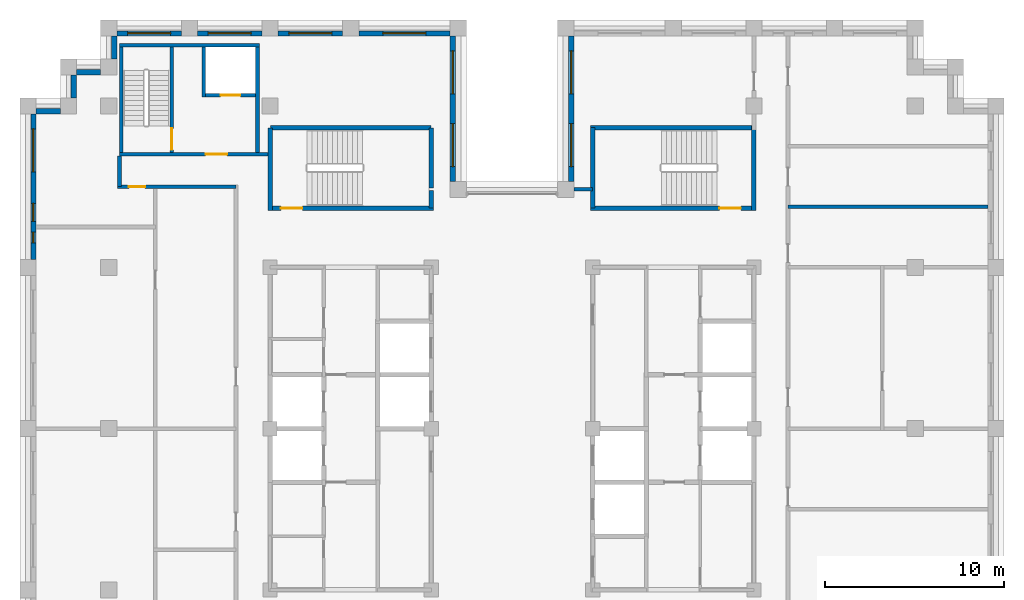
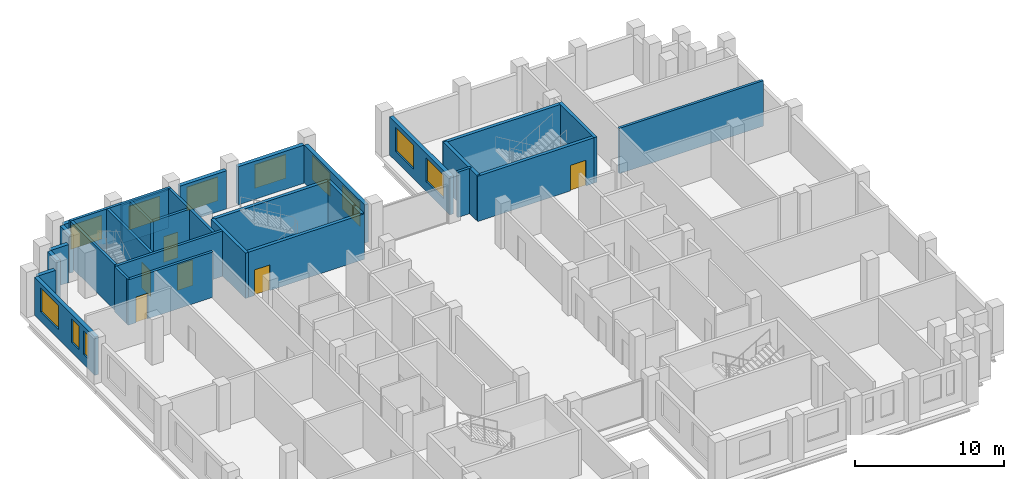
# One storey, part 10 of 13: 31 walls, 11 windows, 6 doors, 17 openings.
"""IFC4 building model written with IfcOpenShell, lengths in metres."""

from ifc_helpers import new_model, si_unit, direction, frame, frame_2d, origin, place, context, subcontext, project, spatial, rectangle, extrude, material, layer, layer_set, type_object, element, fill, save


model = new_model("IFC4")

# Units and contexts
model_context = context("Model", 3, precision=1e-05, world=origin(), true_north=direction((0.0, 1.0)))
body_context = subcontext(model_context, "Body", "Model", "MODEL_VIEW")
ifc_project = project(units=[si_unit("LENGTHUNIT", "METRE"), si_unit("AREAUNIT", "SQUARE_METRE"), si_unit("VOLUMEUNIT", "CUBIC_METRE"), si_unit("PLANEANGLEUNIT", "RADIAN"), si_unit("MASSUNIT", "GRAM", prefix="KILO")], contexts=[model_context])

# Site, building, storey
site_placement = place(None, origin())
site = spatial("IfcSite", under=ifc_project, at=site_placement, CompositionType="ELEMENT")
building_placement = place(site_placement, origin())
building = spatial("IfcBuilding", under=site, at=building_placement, Name="Corbelhall Arena Tower", CompositionType="ELEMENT")
storey_placement = place(building_placement, frame((0.0, 0.0, 258.0)))
storey = spatial("IfcBuildingStorey", under=building, at=storey_placement, Name="L55", CompositionType="ELEMENT", Elevation=258.0)

# Walls
ifc_material_1 = material(Name="Precast concrete C40/50 with granite facing", Category="masonry")
ifc_layer_1 = layer(ifc_material_1, 0.300048828125)
ifc_layer_set_1 = layer_set([ifc_layer_1], Name="EV-IW1 Infill panel 300")
wall_type_1 = type_object("IfcWallType", Name="EV-IW1 Infill panel 300", PredefinedType="SOLIDWALL", material=ifc_layer_set_1)
wall_1_placement = place(storey_placement, frame((-24.449951171875, 19.72509765625, 0.0), z_axis=(0.0, 0.0, 1.0), x_axis=(0.0, -1.0, 0.0)))
element("IfcWall", 1, at=wall_1_placement, inside=storey, type_object=wall_type_1, Name="Infill panel IW1", PredefinedType="SOLIDWALL", context=body_context, shape_type="SweptSolid", body=[
    extrude(rectangle(XDim=1.275146484375, YDim=0.300048828125, at=frame_2d((0.6376953125, 0.0))), origin(), (0.0, 0.0, 1.0), 3.1201171875),
])
wall_2_placement = place(storey_placement, frame((-25.199951171875, 17.699951171875, 0.0), z_axis=(0.0, 0.0, 1.0), x_axis=(-1.0, 0.0, 0.0)))
element("IfcWall", 2, at=wall_2_placement, inside=storey, type_object=wall_type_1, Name="Infill panel IW1", PredefinedType="SOLIDWALL", context=body_context, shape_type="SweptSolid", body=[
    extrude(rectangle(XDim=1.35009765625, YDim=0.300048828125, at=frame_2d((0.675048828125, 0.0))), origin(), (0.0, 0.0, 1.0), 3.1201171875),
])

# Wall, openings, windows
wall_3_placement = place(storey_placement, frame((-26.699951171875, 17.550048828125, 0.0), z_axis=(0.0, 0.0, 1.0), x_axis=(0.0, -1.0, 0.0)))
wall_3 = element("IfcWall", 3, at=wall_3_placement, inside=storey, type_object=wall_type_1, Name="Infill panel IW1", PredefinedType="SOLIDWALL", context=body_context, shape_type="SweptSolid", body=[
    extrude(rectangle(XDim=8.10009765625, YDim=0.300048828125, at=frame_2d((4.050048828125, 0.0))), origin(), (0.0, 0.0, 1.0), 3.1201171875),
])
opening_1_placement = place(wall_3_placement, frame((0.824951171875, 0.0, 0.800048828125)))
opening_1 = element("IfcOpeningElement", 4, at=opening_1_placement, cuts=wall_3, Name="Opening WN1", PredefinedType="OPENING", context=body_context, shape_type="SweptSolid", body=[
    extrude(rectangle(XDim=2.39990234375, YDim=1.949951171875, at=frame_2d((1.199951171875, 0.97509765625))), frame((0.0, 0.14990234375, 0.0), z_axis=(0.0, -1.0, 0.0), x_axis=(1.0, 0.0, 0.0)), (0.0, 0.0, 1.0), 0.300048828125),
])
opening_2_placement = place(wall_3_placement, frame((4.987548828125, 0.0, 0.800048828125)))
opening_2 = element("IfcOpeningElement", 5, at=opening_2_placement, cuts=wall_3, Name="Opening WN6", PredefinedType="OPENING", context=body_context, shape_type="SweptSolid", body=[
    extrude(rectangle(XDim=1.0, YDim=1.949951171875, at=frame_2d((0.5, 0.97509765625))), frame((0.0, 0.14990234375, 0.0), z_axis=(0.0, -1.0, 0.0), x_axis=(1.0, 0.0, 0.0)), (0.0, 0.0, 1.0), 0.300048828125),
])
opening_3_placement = place(wall_3_placement, frame((6.58740234375, 0.0, 0.800048828125)))
opening_3 = element("IfcOpeningElement", 6, at=opening_3_placement, cuts=wall_3, Name="Opening WN5", PredefinedType="OPENING", context=body_context, shape_type="SweptSolid", body=[
    extrude(rectangle(XDim=0.60009765625, YDim=1.949951171875, at=frame_2d((0.300048828125, 0.97509765625))), frame((0.0, 0.14990234375, 0.0), z_axis=(0.0, -1.0, 0.0), x_axis=(1.0, 0.0, 0.0)), (0.0, 0.0, 1.0), 0.300048828125),
])
ifc_material_2 = material(Name="Aluminium black anodised", Category="aluminium")
window_type_1 = type_object("IfcWindowType", Name="EV-WN1 Office window", PartitioningType="SINGLE_PANEL", PredefinedType="WINDOW", material=ifc_material_2)
window_1_placement = place(opening_1_placement, origin())
window_1 = element("IfcWindow", 7, at=window_1_placement, inside=storey, type_object=window_type_1, Name="Window WN1", OverallHeight=1.949951171875, OverallWidth=2.39990234375, PartitioningType="SINGLE_PANEL", PredefinedType="WINDOW", context=body_context, shape_type="SweptSolid", body=[
    extrude(rectangle(XDim=2.39990234375, YDim=1.949951171875, at=frame_2d((1.199951171875, 0.97509765625))), frame((0.0, 0.030029296875, 0.0), z_axis=(0.0, -1.0, 0.0), x_axis=(1.0, 0.0, 0.0)), (0.0, 0.0, 1.0), 0.06005859375),
])
fill(opening_1, window_1)
window_type_2 = type_object("IfcWindowType", Name="EV-WN5 Office window 600", PartitioningType="SINGLE_PANEL", PredefinedType="WINDOW", material=ifc_material_2)
window_2_placement = place(opening_3_placement, origin())
window_2 = element("IfcWindow", 8, at=window_2_placement, inside=storey, type_object=window_type_2, Name="Window WN5", OverallHeight=1.949951171875, OverallWidth=0.60009765625, PartitioningType="SINGLE_PANEL", PredefinedType="WINDOW", context=body_context, shape_type="SweptSolid", body=[
    extrude(rectangle(XDim=0.60009765625, YDim=1.949951171875, at=frame_2d((0.300048828125, 0.97509765625))), frame((0.0, 0.030029296875, 0.0), z_axis=(0.0, -1.0, 0.0), x_axis=(1.0, 0.0, 0.0)), (0.0, 0.0, 1.0), 0.06005859375),
])
fill(opening_3, window_2)
window_type_3 = type_object("IfcWindowType", Name="EV-WN6 Office window 1000", PartitioningType="SINGLE_PANEL", PredefinedType="WINDOW", material=ifc_material_2)
window_3_placement = place(opening_2_placement, origin())
window_3 = element("IfcWindow", 9, at=window_3_placement, inside=storey, type_object=window_type_3, Name="Window WN6", OverallHeight=1.949951171875, OverallWidth=1.0, PartitioningType="SINGLE_PANEL", PredefinedType="WINDOW", context=body_context, shape_type="SweptSolid", body=[
    extrude(rectangle(XDim=1.0, YDim=1.949951171875, at=frame_2d((0.5, 0.97509765625))), frame((0.0, 0.030029296875, 0.0), z_axis=(0.0, -1.0, 0.0), x_axis=(1.0, 0.0, 0.0)), (0.0, 0.0, 1.0), 0.06005859375),
])
fill(opening_2, window_3)

wall_4_placement = place(storey_placement, frame((3.300048828125, 21.89990234375, 0.0), z_axis=(0.0, 0.0, 1.0), x_axis=(0.0, -1.0, 0.0)))
wall_4 = element("IfcWall", 10, at=wall_4_placement, inside=storey, type_object=wall_type_1, Name="Infill panel IW1", PredefinedType="SOLIDWALL", context=body_context, shape_type="SweptSolid", body=[
    extrude(rectangle(XDim=8.099853515625, YDim=0.300048828125, at=frame_2d((4.0498046875, 0.0))), origin(), (0.0, 0.0, 1.0), 3.1201171875),
])
opening_4_placement = place(wall_4_placement, frame((0.824951171875, 0.0, 0.800048828125)))
opening_4 = element("IfcOpeningElement", 11, at=opening_4_placement, cuts=wall_4, Name="Opening WN1", PredefinedType="OPENING", context=body_context, shape_type="SweptSolid", body=[
    extrude(rectangle(XDim=2.39990234375, YDim=1.949951171875, at=frame_2d((1.199951171875, 0.97509765625))), frame((0.0, 0.14990234375, 0.0), z_axis=(0.0, -1.0, 0.0), x_axis=(1.0, 0.0, 0.0)), (0.0, 0.0, 1.0), 0.300048828125),
])
opening_5_placement = place(wall_4_placement, frame((4.875, 0.0, 0.800048828125)))
opening_5 = element("IfcOpeningElement", 12, at=opening_5_placement, cuts=wall_4, Name="Opening WN1", PredefinedType="OPENING", context=body_context, shape_type="SweptSolid", body=[
    extrude(rectangle(XDim=2.39990234375, YDim=1.949951171875, at=frame_2d((1.199951171875, 0.97509765625))), frame((0.0, 0.14990234375, 0.0), z_axis=(0.0, -1.0, 0.0), x_axis=(1.0, 0.0, 0.0)), (0.0, 0.0, 1.0), 0.300048828125),
])
window_4_placement = place(opening_4_placement, origin())
window_4 = element("IfcWindow", 13, at=window_4_placement, inside=storey, type_object=window_type_1, Name="Window WN1", OverallHeight=1.949951171875, OverallWidth=2.39990234375, PartitioningType="SINGLE_PANEL", PredefinedType="WINDOW", context=body_context, shape_type="SweptSolid", body=[
    extrude(rectangle(XDim=2.39990234375, YDim=1.949951171875, at=frame_2d((1.199951171875, 0.97509765625))), frame((0.0, 0.030029296875, 0.0), z_axis=(0.0, -1.0, 0.0), x_axis=(1.0, 0.0, 0.0)), (0.0, 0.0, 1.0), 0.06005859375),
])
fill(opening_4, window_4)
window_5_placement = place(opening_5_placement, origin())
window_5 = element("IfcWindow", 14, at=window_5_placement, inside=storey, type_object=window_type_1, Name="Window WN1", OverallHeight=1.949951171875, OverallWidth=2.39990234375, PartitioningType="SINGLE_PANEL", PredefinedType="WINDOW", context=body_context, shape_type="SweptSolid", body=[
    extrude(rectangle(XDim=2.39990234375, YDim=1.949951171875, at=frame_2d((1.199951171875, 0.97509765625))), frame((0.0, 0.030029296875, 0.0), z_axis=(0.0, -1.0, 0.0), x_axis=(1.0, 0.0, 0.0)), (0.0, 0.0, 1.0), 0.06005859375),
])
fill(opening_5, window_5)

wall_5_placement = place(storey_placement, frame((-3.300048828125, 13.800048828125, 0.0), z_axis=(0.0, 0.0, 1.0), x_axis=(0.0, 1.0, 0.0)))
wall_5 = element("IfcWall", 15, at=wall_5_placement, inside=storey, type_object=wall_type_1, Name="Infill panel IW1", PredefinedType="SOLIDWALL", context=body_context, shape_type="SweptSolid", body=[
    extrude(rectangle(XDim=8.099853515625, YDim=0.300048828125, at=frame_2d((4.0498046875, 0.0))), origin(), (0.0, 0.0, 1.0), 3.1201171875),
])
opening_6_placement = place(wall_5_placement, frame((0.824951171875, 0.0, 0.800048828125)))
opening_6 = element("IfcOpeningElement", 16, at=opening_6_placement, cuts=wall_5, Name="Opening WN1", PredefinedType="OPENING", context=body_context, shape_type="SweptSolid", body=[
    extrude(rectangle(XDim=2.39990234375, YDim=1.949951171875, at=frame_2d((1.199951171875, 0.97509765625))), frame((0.0, 0.14990234375, 0.0), z_axis=(0.0, -1.0, 0.0), x_axis=(1.0, 0.0, 0.0)), (0.0, 0.0, 1.0), 0.300048828125),
])
opening_7_placement = place(wall_5_placement, frame((4.875, 0.0, 0.800048828125)))
opening_7 = element("IfcOpeningElement", 17, at=opening_7_placement, cuts=wall_5, Name="Opening WN1", PredefinedType="OPENING", context=body_context, shape_type="SweptSolid", body=[
    extrude(rectangle(XDim=2.39990234375, YDim=1.949951171875, at=frame_2d((1.199951171875, 0.97509765625))), frame((0.0, 0.14990234375, 0.0), z_axis=(0.0, -1.0, 0.0), x_axis=(1.0, 0.0, 0.0)), (0.0, 0.0, 1.0), 0.300048828125),
])
window_6_placement = place(opening_6_placement, origin())
window_6 = element("IfcWindow", 18, at=window_6_placement, inside=storey, type_object=window_type_1, Name="Window WN1", OverallHeight=1.949951171875, OverallWidth=2.39990234375, PartitioningType="SINGLE_PANEL", PredefinedType="WINDOW", context=body_context, shape_type="SweptSolid", body=[
    extrude(rectangle(XDim=2.39990234375, YDim=1.949951171875, at=frame_2d((1.199951171875, 0.97509765625))), frame((0.0, 0.030029296875, 0.0), z_axis=(0.0, -1.0, 0.0), x_axis=(1.0, 0.0, 0.0)), (0.0, 0.0, 1.0), 0.06005859375),
])
fill(opening_6, window_6)
window_7_placement = place(opening_7_placement, origin())
window_7 = element("IfcWindow", 19, at=window_7_placement, inside=storey, type_object=window_type_1, Name="Window WN1", OverallHeight=1.949951171875, OverallWidth=2.39990234375, PartitioningType="SINGLE_PANEL", PredefinedType="WINDOW", context=body_context, shape_type="SweptSolid", body=[
    extrude(rectangle(XDim=2.39990234375, YDim=1.949951171875, at=frame_2d((1.199951171875, 0.97509765625))), frame((0.0, 0.030029296875, 0.0), z_axis=(0.0, -1.0, 0.0), x_axis=(1.0, 0.0, 0.0)), (0.0, 0.0, 1.0), 0.06005859375),
])
fill(opening_7, window_7)

# Wall, opening, window
wall_6_placement = place(storey_placement, frame((-3.449951171875, 22.050048828125, 0.0), z_axis=(0.0, 0.0, 1.0), x_axis=(-1.0, 0.0, 0.0)))
wall_6 = element("IfcWall", 20, at=wall_6_placement, inside=storey, type_object=wall_type_1, Name="Infill panel IW1", PredefinedType="SOLIDWALL", context=body_context, shape_type="SweptSolid", body=[
    extrude(rectangle(XDim=5.10009765625, YDim=0.300048828125, at=frame_2d((2.550048828125, 0.0))), origin(), (0.0, 0.0, 1.0), 3.1201171875),
])
opening_8_placement = place(wall_6_placement, frame((1.35009765625, 0.0, 0.800048828125)))
opening_8 = element("IfcOpeningElement", 21, at=opening_8_placement, cuts=wall_6, Name="Opening WN1", PredefinedType="OPENING", context=body_context, shape_type="SweptSolid", body=[
    extrude(rectangle(XDim=2.39990234375, YDim=1.949951171875, at=frame_2d((1.199951171875, 0.97509765625))), frame((0.0, 0.14990234375, 0.0), z_axis=(0.0, -1.0, 0.0), x_axis=(1.0, 0.0, 0.0)), (0.0, 0.0, 1.0), 0.300048828125),
])
window_8_placement = place(opening_8_placement, origin())
window_8 = element("IfcWindow", 22, at=window_8_placement, inside=storey, type_object=window_type_1, Name="Window WN1", OverallHeight=1.949951171875, OverallWidth=2.39990234375, PartitioningType="SINGLE_PANEL", PredefinedType="WINDOW", context=body_context, shape_type="SweptSolid", body=[
    extrude(rectangle(XDim=2.39990234375, YDim=1.949951171875, at=frame_2d((1.199951171875, 0.97509765625))), frame((0.0, 0.030029296875, 0.0), z_axis=(0.0, -1.0, 0.0), x_axis=(1.0, 0.0, 0.0)), (0.0, 0.0, 1.0), 0.06005859375),
])
fill(opening_8, window_8)

wall_7_placement = place(storey_placement, frame((-9.449951171875, 22.050048828125, 0.0), z_axis=(0.0, 0.0, 1.0), x_axis=(-1.0, 0.0, 0.0)))
wall_7 = element("IfcWall", 23, at=wall_7_placement, inside=storey, type_object=wall_type_1, Name="Infill panel IW1", PredefinedType="SOLIDWALL", context=body_context, shape_type="SweptSolid", body=[
    extrude(rectangle(XDim=3.60009765625, YDim=0.300048828125, at=frame_2d((1.800048828125, 0.0))), origin(), (0.0, 0.0, 1.0), 3.1201171875),
])
opening_9_placement = place(wall_7_placement, frame((0.60009765625, 0.0, 0.800048828125)))
opening_9 = element("IfcOpeningElement", 24, at=opening_9_placement, cuts=wall_7, Name="Opening WN1", PredefinedType="OPENING", context=body_context, shape_type="SweptSolid", body=[
    extrude(rectangle(XDim=2.39990234375, YDim=1.949951171875, at=frame_2d((1.199951171875, 0.97509765625))), frame((0.0, 0.14990234375, 0.0), z_axis=(0.0, -1.0, 0.0), x_axis=(1.0, 0.0, 0.0)), (0.0, 0.0, 1.0), 0.300048828125),
])
window_9_placement = place(opening_9_placement, origin())
window_9 = element("IfcWindow", 25, at=window_9_placement, inside=storey, type_object=window_type_1, Name="Window WN1", OverallHeight=1.949951171875, OverallWidth=2.39990234375, PartitioningType="SINGLE_PANEL", PredefinedType="WINDOW", context=body_context, shape_type="SweptSolid", body=[
    extrude(rectangle(XDim=2.39990234375, YDim=1.949951171875, at=frame_2d((1.199951171875, 0.97509765625))), frame((0.0, 0.030029296875, 0.0), z_axis=(0.0, -1.0, 0.0), x_axis=(1.0, 0.0, 0.0)), (0.0, 0.0, 1.0), 0.06005859375),
])
fill(opening_9, window_9)

wall_8_placement = place(storey_placement, frame((-13.949951171875, 22.050048828125, 0.0), z_axis=(0.0, 0.0, 1.0), x_axis=(-1.0, 0.0, 0.0)))
wall_8 = element("IfcWall", 26, at=wall_8_placement, inside=storey, type_object=wall_type_1, Name="Infill panel IW1", PredefinedType="SOLIDWALL", context=body_context, shape_type="SweptSolid", body=[
    extrude(rectangle(XDim=3.60009765625, YDim=0.300048828125, at=frame_2d((1.800048828125, 0.0))), origin(), (0.0, 0.0, 1.0), 3.1201171875),
])
opening_10_placement = place(wall_8_placement, frame((0.60009765625, 0.0, 0.800048828125)))
opening_10 = element("IfcOpeningElement", 27, at=opening_10_placement, cuts=wall_8, Name="Opening WN1", PredefinedType="OPENING", context=body_context, shape_type="SweptSolid", body=[
    extrude(rectangle(XDim=2.39990234375, YDim=1.949951171875, at=frame_2d((1.199951171875, 0.97509765625))), frame((0.0, 0.14990234375, 0.0), z_axis=(0.0, -1.0, 0.0), x_axis=(1.0, 0.0, 0.0)), (0.0, 0.0, 1.0), 0.300048828125),
])
window_10_placement = place(opening_10_placement, origin())
window_10 = element("IfcWindow", 28, at=window_10_placement, inside=storey, type_object=window_type_1, Name="Window WN1", OverallHeight=1.949951171875, OverallWidth=2.39990234375, PartitioningType="SINGLE_PANEL", PredefinedType="WINDOW", context=body_context, shape_type="SweptSolid", body=[
    extrude(rectangle(XDim=2.39990234375, YDim=1.949951171875, at=frame_2d((1.199951171875, 0.97509765625))), frame((0.0, 0.030029296875, 0.0), z_axis=(0.0, -1.0, 0.0), x_axis=(1.0, 0.0, 0.0)), (0.0, 0.0, 1.0), 0.06005859375),
])
fill(opening_10, window_10)

wall_9_placement = place(storey_placement, frame((-18.449951171875, 22.050048828125, 0.0), z_axis=(0.0, 0.0, 1.0), x_axis=(-1.0, 0.0, 0.0)))
wall_9 = element("IfcWall", 29, at=wall_9_placement, inside=storey, type_object=wall_type_1, Name="Infill panel IW1", PredefinedType="SOLIDWALL", context=body_context, shape_type="SweptSolid", body=[
    extrude(rectangle(XDim=3.60009765625, YDim=0.300048828125, at=frame_2d((1.800048828125, 0.0))), origin(), (0.0, 0.0, 1.0), 3.1201171875),
])
opening_11_placement = place(wall_9_placement, frame((0.60009765625, 0.0, 0.800048828125)))
opening_11 = element("IfcOpeningElement", 30, at=opening_11_placement, cuts=wall_9, Name="Opening WN1", PredefinedType="OPENING", context=body_context, shape_type="SweptSolid", body=[
    extrude(rectangle(XDim=2.39990234375, YDim=1.949951171875, at=frame_2d((1.199951171875, 0.97509765625))), frame((0.0, 0.14990234375, 0.0), z_axis=(0.0, -1.0, 0.0), x_axis=(1.0, 0.0, 0.0)), (0.0, 0.0, 1.0), 0.300048828125),
])
window_11_placement = place(opening_11_placement, origin())
window_11 = element("IfcWindow", 31, at=window_11_placement, inside=storey, type_object=window_type_1, Name="Window WN1", OverallHeight=1.949951171875, OverallWidth=2.39990234375, PartitioningType="SINGLE_PANEL", PredefinedType="WINDOW", context=body_context, shape_type="SweptSolid", body=[
    extrude(rectangle(XDim=2.39990234375, YDim=1.949951171875, at=frame_2d((1.199951171875, 0.97509765625))), frame((0.0, 0.030029296875, 0.0), z_axis=(0.0, -1.0, 0.0), x_axis=(1.0, 0.0, 0.0)), (0.0, 0.0, 1.0), 0.06005859375),
])
fill(opening_11, window_11)

# Walls
wall_10_placement = place(storey_placement, frame((-22.199951171875, 21.89990234375, 0.0), z_axis=(0.0, 0.0, 1.0), x_axis=(0.0, -1.0, 0.0)))
element("IfcWall", 32, at=wall_10_placement, inside=storey, type_object=wall_type_1, Name="Infill panel IW1", PredefinedType="SOLIDWALL", context=body_context, shape_type="SweptSolid", body=[
    extrude(rectangle(XDim=1.27490234375, YDim=0.300048828125, at=frame_2d((0.637451171875, 0.0))), origin(), (0.0, 0.0, 1.0), 3.1201171875),
])
wall_11_placement = place(storey_placement, frame((-22.949951171875, 19.875, 0.0), z_axis=(0.0, 0.0, 1.0), x_axis=(-1.0, 0.0, 0.0)))
element("IfcWall", 33, at=wall_11_placement, inside=storey, type_object=wall_type_1, Name="Infill panel IW1", PredefinedType="SOLIDWALL", context=body_context, shape_type="SweptSolid", body=[
    extrude(rectangle(XDim=1.35009765625, YDim=0.300048828125, at=frame_2d((0.675048828125, 0.0))), origin(), (0.0, 0.0, 1.0), 3.1201171875),
])
ifc_material_3 = material(Name="Gypsum board on steel stud, acoustic", Category="steel")
ifc_layer_2 = layer(ifc_material_3, 0.199951171875)
ifc_layer_set_2 = layer_set([ifc_layer_2], Name="IN-W-DM200")
wall_type_2 = type_object("IfcWallType", Name="IN-W-DM200", PredefinedType="PARTITIONING", material=ifc_layer_set_2)
wall_12_placement = place(storey_placement, frame((-21.89990234375, 13.5, 0.0), z_axis=(0.0, 0.0, 1.0), x_axis=(0.0, 1.0, 0.0)))
element("IfcWall", 34, at=wall_12_placement, inside=storey, type_object=wall_type_2, Name="Partition 004", PredefinedType="PARTITIONING", context=body_context, shape_type="SweptSolid", body=[
    extrude(rectangle(XDim=1.699951171875, YDim=0.199951171875, at=frame_2d((0.85009765625, 0.0))), origin(), (0.0, 0.0, 1.0), 3.719970703125),
])

# Wall, opening, door
wall_13_placement = place(storey_placement, frame((-15.39990234375, 13.5, 0.0), z_axis=(0.0, 0.0, 1.0), x_axis=(-1.0, 0.0, 0.0)))
wall_13 = element("IfcWall", 35, at=wall_13_placement, inside=storey, type_object=wall_type_2, Name="Partition 008", PredefinedType="PARTITIONING", context=body_context, shape_type="SweptSolid", body=[
    extrude(rectangle(XDim=6.60009765625, YDim=0.199951171875, at=frame_2d((3.300048828125, 0.0))), origin(), (0.0, 0.0, 1.0), 3.719970703125),
])
opening_12_placement = place(wall_13_placement, frame((5.070068359375, 0.0, 0.0)))
opening_12 = element("IfcOpeningElement", 36, at=opening_12_placement, cuts=wall_13, Name="Opening 17038", PredefinedType="OPENING", context=body_context, shape_type="SweptSolid", body=[
    extrude(rectangle(XDim=0.89990234375, YDim=2.10009765625, at=frame_2d((0.449951171875, 1.050048828125))), frame((0.0, 0.10009765625, 0.0), z_axis=(0.0, -1.0, 0.0), x_axis=(1.0, 0.0, 0.0)), (0.0, 0.0, 1.0), 0.199951171875),
])
ifc_material_4 = material(Name="Timber door set", Category="wood")
door_type_1 = type_object("IfcDoorType", Name="IN-D-SW90", OperationType="NOTDEFINED", PredefinedType="DOOR", material=ifc_material_4)
door_1_placement = place(opening_12_placement, origin())
door_1 = element("IfcDoor", 37, at=door_1_placement, inside=storey, type_object=door_type_1, Name="Door 038", OperationType="SINGLE_SWING_LEFT", OverallHeight=2.10009765625, OverallWidth=0.89990234375, PredefinedType="DOOR", context=body_context, shape_type="SweptSolid", body=[
    extrude(rectangle(XDim=0.89990234375, YDim=2.10009765625, at=frame_2d((0.449951171875, 1.050048828125))), frame((0.0, 0.02490234375, 0.0), z_axis=(0.0, -1.0, 0.0), x_axis=(1.0, 0.0, 0.0)), (0.0, 0.0, 1.0), 0.050048828125),
])
fill(opening_12, door_1)

# Walls
wall_14_placement = place(storey_placement, frame((3.450439453125, 13.35009765625, 0.0), z_axis=(0.0, 0.0, 1.0), x_axis=(1.0, 0.0, 0.0)))
element("IfcWall", 38, at=wall_14_placement, inside=storey, type_object=wall_type_2, Name="Partition 012", PredefinedType="PARTITIONING", context=body_context, shape_type="SweptSolid", body=[
    extrude(rectangle(XDim=1.049072265625, YDim=0.199951171875, at=frame_2d((0.5244140625, 0.0))), origin(), (0.0, 0.0, 1.0), 3.719970703125),
])
wall_15_placement = place(storey_placement, frame((15.39990234375, 12.375, 0.0), z_axis=(0.0, 0.0, 1.0), x_axis=(1.0, 0.0, 0.0)))
element("IfcWall", 39, at=wall_15_placement, inside=storey, type_object=wall_type_2, Name="Partition 020", PredefinedType="PARTITIONING", context=body_context, shape_type="SweptSolid", body=[
    extrude(rectangle(XDim=11.150146484375, YDim=0.199951171875, at=frame_2d((5.5751953125, 0.0))), origin(), (0.0, 0.0, 1.0), 3.719970703125),
])

# Wall, opening, door
ifc_material_5 = material(Name="Concrete C40/50", Category="concrete")
ifc_layer_3 = layer(ifc_material_5, 0.199951171875)
ifc_layer_set_3 = layer_set([ifc_layer_3], Name="IN-W-EAR200")
wall_type_3 = type_object("IfcWallType", Name="IN-W-EAR200", PredefinedType="SOLIDWALL", material=ifc_layer_set_3)
wall_16_placement = place(storey_placement, frame((-21.89990234375, 15.300048828125, 0.0), z_axis=(0.0, 0.0, 1.0), x_axis=(1.0, 0.0, 0.0)))
wall_16 = element("IfcWall", 40, at=wall_16_placement, inside=storey, type_object=wall_type_3, Name="Fire service turret wall south", PredefinedType="SOLIDWALL", context=body_context, shape_type="SweptSolid", body=[
    extrude(rectangle(XDim=8.27490234375, YDim=0.199951171875, at=frame_2d((4.137451171875, 0.0))), origin(), (0.0, 0.0, 1.0), 3.719970703125),
])
opening_13_placement = place(wall_16_placement, frame((4.800048828125, 0.0, 0.0)))
opening_13 = element("IfcOpeningElement", 41, at=opening_13_placement, cuts=wall_16, Name="Opening E172", PredefinedType="OPENING", context=body_context, shape_type="SweptSolid", body=[
    extrude(rectangle(XDim=1.199951171875, YDim=2.10009765625, at=frame_2d((0.60009765625, 1.050048828125))), frame((0.0, 0.10009765625, 0.0), z_axis=(0.0, -1.0, 0.0), x_axis=(1.0, 0.0, 0.0)), (0.0, 0.0, 1.0), 0.199951171875),
])
ifc_material_6 = material(Name="Steel door set", Category="steel")
door_type_2 = type_object("IfcDoorType", Name="IN-D-ST120", OperationType="NOTDEFINED", PredefinedType="DOOR", material=ifc_material_6)
door_2_placement = place(opening_13_placement, origin())
door_2 = element("IfcDoor", 42, at=door_2_placement, inside=storey, type_object=door_type_2, Name="Door from fire service lift lobby to circulation", OperationType="SINGLE_SWING_RIGHT", OverallHeight=2.10009765625, OverallWidth=1.199951171875, PredefinedType="DOOR", context=body_context, shape_type="SweptSolid", body=[
    extrude(rectangle(XDim=1.199951171875, YDim=2.10009765625, at=frame_2d((0.60009765625, 1.050048828125))), frame((0.0, 0.02490234375, 0.0), z_axis=(0.0, -1.0, 0.0), x_axis=(1.0, 0.0, 0.0)), (0.0, 0.0, 1.0), 0.050048828125),
])
fill(opening_13, door_2)

# Walls
wall_17_placement = place(storey_placement, frame((-21.89990234375, 21.39990234375, 0.0), z_axis=(0.0, 0.0, 1.0), x_axis=(1.0, 0.0, 0.0)))
element("IfcWall", 43, at=wall_17_placement, inside=storey, type_object=wall_type_3, Name="Fire service turret wall north", PredefinedType="SOLIDWALL", context=body_context, shape_type="SweptSolid", body=[
    extrude(rectangle(XDim=7.7998046875, YDim=0.199951171875, at=frame_2d((3.89990234375, 0.0))), origin(), (0.0, 0.0, 1.0), 3.719970703125),
])
for number, where, z_axis, x_axis, name in (
    (44, (-21.800048828125, 15.39990234375, 0.0), (0.0, 0.0, 1.0), (0.0, 1.0, 0.0), "Fire service turret wall west"),
    (45, (-14.199951171875, 15.39990234375, 0.0), (0.0, 0.0, 1.0), (0.0, 1.0, 0.0), "Fire service turret wall east"),
):
    element("IfcWall", number, at=place(storey_placement, frame(where, z_axis=z_axis, x_axis=x_axis)), inside=storey, type_object=wall_type_3, Name=name, PredefinedType="SOLIDWALL", context=body_context, shape_type="SweptSolid", body=[
        extrude(rectangle(XDim=5.900146484375, YDim=0.199951171875, at=frame_2d((2.9501953125, 0.0))), origin(), (0.0, 0.0, 1.0), 3.719970703125),
    ])

# Wall, opening, door
wall_18_placement = place(storey_placement, frame((-18.989990234375, 15.39990234375, 0.0), z_axis=(0.0, 0.0, 1.0), x_axis=(0.0, 1.0, 0.0)))
wall_18 = element("IfcWall", 46, at=wall_18_placement, inside=storey, type_object=wall_type_3, Name="Fire service turret wall stair", PredefinedType="SOLIDWALL", context=body_context, shape_type="SweptSolid", body=[
    extrude(rectangle(XDim=5.900146484375, YDim=0.199951171875, at=frame_2d((2.9501953125, 0.0))), origin(), (0.0, 0.0, 1.0), 3.719970703125),
])
opening_14_placement = place(wall_18_placement, frame((0.14990234375, 0.0, 0.0)))
opening_14 = element("IfcOpeningElement", 47, at=opening_14_placement, cuts=wall_18, Name="Opening E171", PredefinedType="OPENING", context=body_context, shape_type="SweptSolid", body=[
    extrude(rectangle(XDim=1.199951171875, YDim=2.10009765625, at=frame_2d((0.60009765625, 1.050048828125))), frame((0.0, 0.10009765625, 0.0), z_axis=(0.0, -1.0, 0.0), x_axis=(1.0, 0.0, 0.0)), (0.0, 0.0, 1.0), 0.199951171875),
])
door_3_placement = place(opening_14_placement, origin())
door_3 = element("IfcDoor", 48, at=door_3_placement, inside=storey, type_object=door_type_2, Name="Stair door to fire service lobby", OperationType="SINGLE_SWING_LEFT", OverallHeight=2.10009765625, OverallWidth=1.199951171875, PredefinedType="DOOR", context=body_context, shape_type="SweptSolid", body=[
    extrude(rectangle(XDim=1.199951171875, YDim=2.10009765625, at=frame_2d((0.60009765625, 1.050048828125))), frame((0.0, 0.02490234375, 0.0), z_axis=(0.0, -1.0, 0.0), x_axis=(1.0, 0.0, 0.0)), (0.0, 0.0, 1.0), 0.050048828125),
])
fill(opening_14, door_3)

# Wall
wall_19_placement = place(storey_placement, frame((-17.199951171875, 18.5, 0.0), z_axis=(0.0, 0.0, 1.0), x_axis=(0.0, 1.0, 0.0)))
element("IfcWall", 49, at=wall_19_placement, inside=storey, type_object=wall_type_3, Name="Fire service turret wall hoistway west", PredefinedType="SOLIDWALL", context=body_context, shape_type="SweptSolid", body=[
    extrude(rectangle(XDim=2.800048828125, YDim=0.199951171875, at=frame_2d((1.39990234375, 0.0))), origin(), (0.0, 0.0, 1.0), 3.719970703125),
])

# Wall, opening, door
wall_20_placement = place(storey_placement, frame((-17.10009765625, 18.60009765625, 0.0), z_axis=(0.0, 0.0, 1.0), x_axis=(1.0, 0.0, 0.0)))
wall_20 = element("IfcWall", 50, at=wall_20_placement, inside=storey, type_object=wall_type_3, Name="Fire service turret wall hoistway south", PredefinedType="SOLIDWALL", context=body_context, shape_type="SweptSolid", body=[
    extrude(rectangle(XDim=2.800048828125, YDim=0.199951171875, at=frame_2d((1.39990234375, 0.0))), origin(), (0.0, 0.0, 1.0), 3.719970703125),
])
opening_15_placement = place(wall_20_placement, frame((0.85009765625, 0.0, 0.0)))
opening_15 = element("IfcOpeningElement", 51, at=opening_15_placement, cuts=wall_20, Name="Opening LD", PredefinedType="OPENING", context=body_context, shape_type="SweptSolid", body=[
    extrude(rectangle(XDim=1.10009765625, YDim=2.10009765625, at=frame_2d((0.550048828125, 1.050048828125))), frame((0.0, 0.10009765625, 0.0), z_axis=(0.0, -1.0, 0.0), x_axis=(1.0, 0.0, 0.0)), (0.0, 0.0, 1.0), 0.199951171875),
])
door_type_3 = type_object("IfcDoorType", Name="IN-D-LD110", OperationType="NOTDEFINED", PredefinedType="DOOR", material=ifc_material_6)
door_4_placement = place(opening_15_placement, origin())
door_4 = element("IfcDoor", 52, at=door_4_placement, inside=storey, type_object=door_type_3, Name="Landing door FS1", OperationType="SLIDING_TO_LEFT", OverallHeight=2.10009765625, OverallWidth=1.10009765625, PredefinedType="DOOR", context=body_context, shape_type="SweptSolid", body=[
    extrude(rectangle(XDim=1.10009765625, YDim=2.10009765625, at=frame_2d((0.550048828125, 1.050048828125))), frame((0.0, 0.02490234375, 0.0), z_axis=(0.0, -1.0, 0.0), x_axis=(1.0, 0.0, 0.0)), (0.0, 0.0, 1.0), 0.050048828125),
])
fill(opening_15, door_4)

ifc_layer_4 = layer(ifc_material_5, 0.25)
ifc_layer_set_4 = layer_set([ifc_layer_4], Name="IN-W-ST250")
wall_type_4 = type_object("IfcWallType", Name="IN-W-ST250", PredefinedType="SOLIDWALL", material=ifc_layer_set_4)
wall_21_placement = place(storey_placement, frame((-13.5, 12.300048828125, 0.0), z_axis=(0.0, 0.0, 1.0), x_axis=(1.0, 0.0, 0.0)))
wall_21 = element("IfcWall", 53, at=wall_21_placement, inside=storey, type_object=wall_type_4, Name="Shaft wall 065", PredefinedType="SOLIDWALL", context=body_context, shape_type="SweptSolid", body=[
    extrude(rectangle(XDim=9.125, YDim=0.25, at=frame_2d((4.5625, 0.0))), origin(), (0.0, 0.0, 1.0), 3.719970703125),
])
opening_16_placement = place(wall_21_placement, frame((0.60009765625, 0.0, 0.0)))
opening_16 = element("IfcOpeningElement", 54, at=opening_16_placement, cuts=wall_21, Name="Opening 17015", PredefinedType="OPENING", context=body_context, shape_type="SweptSolid", body=[
    extrude(rectangle(XDim=1.199951171875, YDim=2.10009765625, at=frame_2d((0.60009765625, 1.050048828125))), frame((0.0, 0.125, 0.0), z_axis=(0.0, -1.0, 0.0), x_axis=(1.0, 0.0, 0.0)), (0.0, 0.0, 1.0), 0.25),
])
door_5_placement = place(opening_16_placement, origin())
door_5 = element("IfcDoor", 55, at=door_5_placement, inside=storey, type_object=door_type_2, Name="Door 015", OperationType="SINGLE_SWING_RIGHT", OverallHeight=2.10009765625, OverallWidth=1.199951171875, PredefinedType="DOOR", context=body_context, shape_type="SweptSolid", body=[
    extrude(rectangle(XDim=1.199951171875, YDim=2.10009765625, at=frame_2d((0.60009765625, 1.050048828125))), frame((0.0, 0.02490234375, 0.0), z_axis=(0.0, -1.0, 0.0), x_axis=(1.0, 0.0, 0.0)), (0.0, 0.0, 1.0), 0.050048828125),
])
fill(opening_16, door_5)

# Walls
wall_22_placement = place(storey_placement, frame((-13.5, 16.780029296875, 0.0), z_axis=(0.0, 0.0, 1.0), x_axis=(0.0, -1.0, 0.0)))
element("IfcWall", 56, at=wall_22_placement, inside=storey, type_object=wall_type_4, Name="Shaft wall 066", PredefinedType="SOLIDWALL", context=body_context, shape_type="SweptSolid", body=[
    extrude(rectangle(XDim=4.60498046875, YDim=0.25, at=frame_2d((2.302490234375, 0.0))), origin(), (0.0, 0.0, 1.0), 3.719970703125),
])
wall_23_placement = place(storey_placement, frame((-13.47998046875, 16.800048828125, 0.0), z_axis=(0.0, 0.0, 1.0), x_axis=(1.0, 0.0, 0.0)))
element("IfcWall", 57, at=wall_23_placement, inside=storey, type_object=wall_type_4, Name="Shaft wall 067", PredefinedType="SOLIDWALL", context=body_context, shape_type="SweptSolid", body=[
    extrude(rectangle(XDim=8.9599609375, YDim=0.25, at=frame_2d((4.47998046875, 0.0))), origin(), (0.0, 0.0, 1.0), 3.719970703125),
])
wall_24_placement = place(storey_placement, frame((-4.5, 13.282958984375, 0.0), z_axis=(0.0, 0.0, 1.0), x_axis=(0.0, -1.0, 0.0)))
element("IfcWall", 58, at=wall_24_placement, inside=storey, type_object=wall_type_4, Name="Shaft wall 070", PredefinedType="SOLIDWALL", context=body_context, shape_type="SweptSolid", body=[
    extrude(rectangle(XDim=0.98291015625, YDim=0.25, at=frame_2d((0.491455078125, 0.0))), origin(), (0.0, 0.0, 1.0), 3.719970703125),
])
wall_25_placement = place(storey_placement, frame((-4.5, 16.780029296875, 0.0), z_axis=(0.0, 0.0, 1.0), x_axis=(0.0, -1.0, 0.0)))
element("IfcWall", 59, at=wall_25_placement, inside=storey, type_object=wall_type_4, Name="Shaft wall 071", PredefinedType="SOLIDWALL", context=body_context, shape_type="SweptSolid", body=[
    extrude(rectangle(XDim=3.363037109375, YDim=0.25, at=frame_2d((1.681640625, 0.0))), origin(), (0.0, 0.0, 1.0), 3.719970703125),
])

# Wall, opening, door
wall_26_placement = place(storey_placement, frame((4.375, 12.300048828125, 0.0), z_axis=(0.0, 0.0, 1.0), x_axis=(1.0, 0.0, 0.0)))
wall_26 = element("IfcWall", 60, at=wall_26_placement, inside=storey, type_object=wall_type_4, Name="Shaft wall 073", PredefinedType="SOLIDWALL", context=body_context, shape_type="SweptSolid", body=[
    extrude(rectangle(XDim=9.125, YDim=0.25, at=frame_2d((4.5625, 0.0))), origin(), (0.0, 0.0, 1.0), 3.719970703125),
])
opening_17_placement = place(wall_26_placement, frame((7.199951171875, 0.0, 0.0)))
opening_17 = element("IfcOpeningElement", 61, at=opening_17_placement, cuts=wall_26, Name="Opening 17017", PredefinedType="OPENING", context=body_context, shape_type="SweptSolid", body=[
    extrude(rectangle(XDim=1.199951171875, YDim=2.10009765625, at=frame_2d((0.60009765625, 1.050048828125))), frame((0.0, 0.125, 0.0), z_axis=(0.0, -1.0, 0.0), x_axis=(1.0, 0.0, 0.0)), (0.0, 0.0, 1.0), 0.25),
])
door_6_placement = place(opening_17_placement, origin())
door_6 = element("IfcDoor", 62, at=door_6_placement, inside=storey, type_object=door_type_2, Name="Door 017", OperationType="SINGLE_SWING_RIGHT", OverallHeight=2.10009765625, OverallWidth=1.199951171875, PredefinedType="DOOR", context=body_context, shape_type="SweptSolid", body=[
    extrude(rectangle(XDim=1.199951171875, YDim=2.10009765625, at=frame_2d((0.60009765625, 1.050048828125))), frame((0.0, 0.02490234375, 0.0), z_axis=(0.0, -1.0, 0.0), x_axis=(1.0, 0.0, 0.0)), (0.0, 0.0, 1.0), 0.050048828125),
])
fill(opening_17, door_6)

# Walls
wall_27_placement = place(storey_placement, frame((4.375, 16.800048828125, 0.0), z_axis=(0.0, 0.0, 1.0), x_axis=(1.0, 0.0, 0.0)))
element("IfcWall", 63, at=wall_27_placement, inside=storey, type_object=wall_type_4, Name="Shaft wall 074", PredefinedType="SOLIDWALL", context=body_context, shape_type="SweptSolid", body=[
    extrude(rectangle(XDim=9.125, YDim=0.25, at=frame_2d((4.5625, 0.0))), origin(), (0.0, 0.0, 1.0), 3.719970703125),
])
wall_28_placement = place(storey_placement, frame((4.5, 12.300048828125, 0.0), z_axis=(0.0, 0.0, 1.0), x_axis=(0.0, 1.0, 0.0)))
element("IfcWall", 64, at=wall_28_placement, inside=storey, type_object=wall_type_4, Name="Shaft wall 076", PredefinedType="SOLIDWALL", context=body_context, shape_type="SweptSolid", body=[
    extrude(rectangle(XDim=4.5, YDim=0.25, at=frame_2d((2.25, 0.0))), origin(), (0.0, 0.0, 1.0), 3.719970703125),
])
wall_29_placement = place(storey_placement, frame((13.5, 12.175048828125, 0.0), z_axis=(0.0, 0.0, 1.0), x_axis=(0.0, 1.0, 0.0)))
element("IfcWall", 65, at=wall_29_placement, inside=storey, type_object=wall_type_4, Name="Shaft wall 080", PredefinedType="SOLIDWALL", context=body_context, shape_type="SweptSolid", body=[
    extrude(rectangle(XDim=4.75, YDim=0.25, at=frame_2d((2.375, 0.0))), origin(), (0.0, 0.0, 1.0), 3.719970703125),
])

save(model, "model.ifc")
